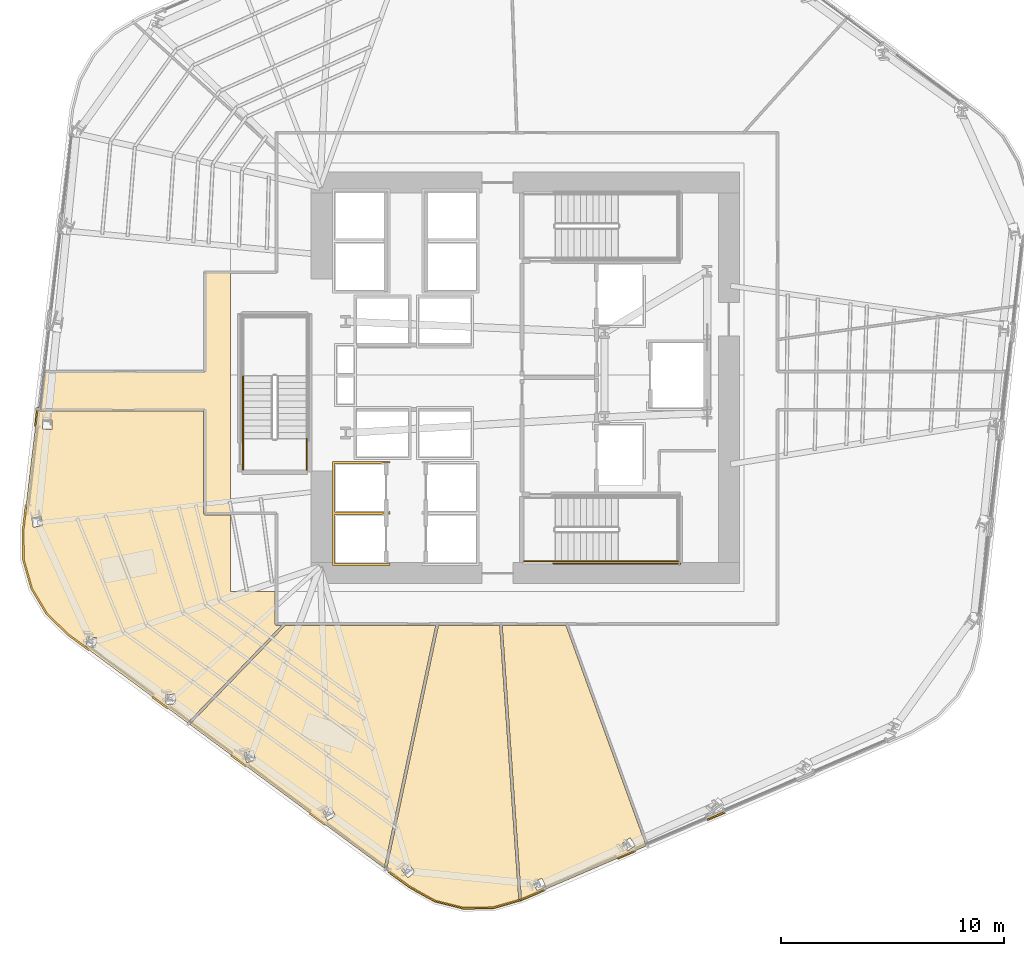
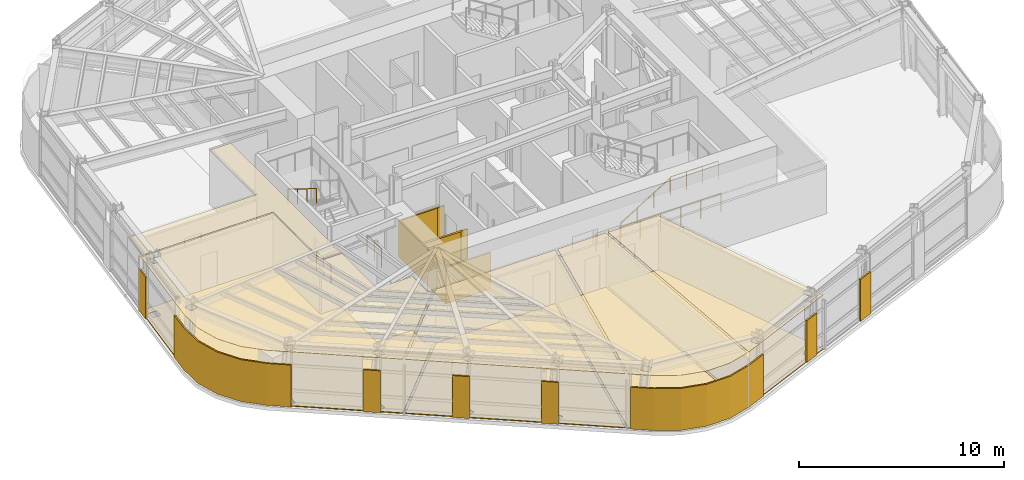
# One storey, part 11 of 16: 18 coverings, 7 railings.
"""IFC4 building model written with IfcOpenShell, lengths in metres."""

from ifc_helpers import new_model, si_unit, direction, frame, origin, origin_2d, place, context, subcontext, project, spatial, polyline, circle, outline, extrude, material, layer, layer_set, type_object, element, save


model = new_model("IFC4")

# Units and contexts
model_context = context("Model", 3, precision=1e-05, world=origin(), true_north=direction((0.0, 1.0)))
body_context = subcontext(model_context, "Body", "Model", "MODEL_VIEW")
ifc_project = project(units=[si_unit("LENGTHUNIT", "METRE"), si_unit("AREAUNIT", "SQUARE_METRE"), si_unit("VOLUMEUNIT", "CUBIC_METRE"), si_unit("PLANEANGLEUNIT", "RADIAN"), si_unit("MASSUNIT", "GRAM", prefix="KILO")], contexts=[model_context])

# Site, building, storey
site_placement = place(None, origin())
site = spatial("IfcSite", under=ifc_project, at=site_placement, CompositionType="ELEMENT")
building_placement = place(site_placement, origin())
building = spatial("IfcBuilding", under=site, at=building_placement, Name="Valkerne Bourse Tower", CompositionType="ELEMENT")
storey_placement = place(building_placement, frame((0.0, 0.0, 123.800048828125)))
storey = spatial("IfcBuildingStorey", under=building, at=storey_placement, Name="L31", CompositionType="ELEMENT", Elevation=123.800048828125)

# Coverings
ifc_material_1 = material(Name="Mineral Fiber Acoustic Ceiling Tile", Category="acoustic")
ifc_layer_1 = layer(ifc_material_1, 0.02490234375)
ifc_layer_set_1 = layer_set([ifc_layer_1], Name="Mineral Fiber Acoustic Ceiling Tile")
covering_type_1 = type_object("IfcCoveringType", Name="COV-CEIL-ACT", PredefinedType="CEILING", material=ifc_layer_set_1)
covering_1_placement = place(storey_placement, frame((0.0, 0.0, 3.22998046875)))
element("IfcCovering", 1, at=covering_1_placement, inside=storey, type_object=covering_type_1, Name="L31 Suspended Ceiling 03", PredefinedType="CEILING", context=body_context, shape_type="SweptSolid", body=[
    extrude(outline(polyline([(45.7666015625, 15.781005859375), (48.6201171875, 15.781005859375), (52.218017578125, 5.896484375), (46.6259765625, 3.492431640625), (45.7666015625, 15.781005859375)]), holes=[polyline([(47.3291015625, 3.892578125), (47.72021484375, 4.07275390625), (47.547119140625, 4.45166015625), (47.543701171875, 4.45166015625), (47.152587890625, 4.271240234375), (47.325927734375, 3.892333984375), (47.3291015625, 3.892578125)]), polyline([(51.732666015625, 5.922607421875), (51.4912109375, 6.261962890625), (51.488037109375, 6.261474609375), (51.1376953125, 6.010498046875), (51.37939453125, 5.671142578125), (51.38232421875, 5.671875), (51.732666015625, 5.922607421875)])]), origin(), (0.0, 0.0, 1.0), 0.02490234375),
])
covering_2_placement = place(storey_placement, frame((0.0, 0.0, 3.22998046875)))
element("IfcCovering", 2, at=covering_2_placement, inside=storey, type_object=covering_type_1, Name="L31 Suspended Ceiling 04", PredefinedType="CEILING", context=body_context, shape_type="SweptSolid", body=[
    extrude(outline(polyline([(42.756103515625, 3.430419921875), (41.594482421875, 4.076904296875), (40.5810546875, 4.826416015625), (42.909423828125, 15.781005859375), (45.6484375, 15.781005859375), (46.510009765625, 3.458740234375), (45.35498046875, 3.1298828125), (44.03564453125, 3.109130859375), (42.756103515625, 3.430419921875)]), holes=[polyline([(41.586181640625, 5.07080078125), (41.5830078125, 5.07177734375), (41.263916015625, 4.804443359375), (41.5390625, 4.472900390625), (41.542236328125, 4.47216796875), (41.861328125, 4.739501953125), (41.586181640625, 5.07080078125)])]), origin(), (0.0, 0.0, 1.0), 0.02490234375),
])
covering_3_placement = place(storey_placement, frame((0.0, 0.0, 3.22998046875)))
element("IfcCovering", 3, at=covering_3_placement, inside=storey, type_object=covering_type_1, Name="L31 Suspended Ceiling 05", PredefinedType="CEILING", context=body_context, shape_type="SweptSolid", body=[
    extrude(outline(polyline([(42.788818359375, 15.781005859375), (40.476806640625, 4.9033203125), (31.764404296875, 11.34521484375), (36.048095703125, 15.781005859375), (42.788818359375, 15.781005859375)]), holes=[polyline([(38.08837890625, 7.626953125), (38.08544921875, 7.628173828125), (37.7216796875, 7.42578125), (37.9296875, 7.04833984375), (37.9326171875, 7.047119140625), (38.29638671875, 7.24951171875), (38.08837890625, 7.626953125)]), polyline([(34.592041015625, 10.17041015625), (34.589599609375, 10.17236328125), (34.192138671875, 10.048095703125), (34.319091796875, 9.63623046875), (34.32177734375, 9.634521484375), (34.718994140625, 9.758544921875), (34.592041015625, 10.17041015625)])]), origin(), (0.0, 0.0, 1.0), 0.02490234375),
])
covering_4_placement = place(storey_placement, frame((0.0, 0.0, 3.22998046875)))
element("IfcCovering", 4, at=covering_4_placement, inside=storey, type_object=covering_type_1, Name="L31 Suspended Ceiling 06", PredefinedType="CEILING", context=body_context, shape_type="SweptSolid", body=[
    extrude(outline(polyline([(24.684814453125, 17.429931640625), (24.323486328125, 18.698974609375), (24.302490234375, 20.02783203125), (24.93701171875, 25.412109375), (25.018310546875, 25.417724609375), (25.0419921875, 25.39111328125), (25.077880859375, 25.381103515625), (32.381103515625, 25.381103515625), (32.385009765625, 20.7763671875), (32.4091796875, 20.744140625), (32.449462890625, 20.73095703125), (33.60009765625, 20.73095703125), (33.60009765625, 17.300048828125), (35.5810546875, 17.300048828125), (35.5810546875, 15.845458984375), (35.598388671875, 15.803955078125), (35.633544921875, 15.78271484375), (35.884033203125, 15.781005859375), (31.668701171875, 11.416015625), (26.31689453125, 15.372802734375), (25.362548828125, 16.297607421875), (24.684814453125, 17.429931640625)]), holes=[polyline([(31.130615234375, 12.273681640625), (31.090087890625, 12.702880859375), (31.087890625, 12.705322265625), (30.673583984375, 12.66455078125), (30.71435546875, 12.2353515625), (30.71630859375, 12.23291015625), (31.130615234375, 12.273681640625)]), polyline([(27.577392578125, 15.22900390625), (27.57568359375, 15.231689453125), (27.160888671875, 15.26953125), (27.1201171875, 14.840576171875), (27.121826171875, 14.837646484375), (27.536376953125, 14.800048828125), (27.577392578125, 15.22900390625)]), polyline([(25.109375, 20.66162109375), (25.1083984375, 20.664794921875), (24.6826171875, 20.5908203125), (24.753173828125, 20.181884765625), (24.75390625, 20.1787109375), (25.1796875, 20.252685546875), (25.109375, 20.66162109375)]), polyline([(25.59619140625, 24.9873046875), (25.1640625, 24.994873046875), (25.156494140625, 24.57958984375), (25.15673828125, 24.576416015625), (25.5888671875, 24.569091796875), (25.596435546875, 24.984130859375), (25.59619140625, 24.9873046875)])]), origin(), (0.0, 0.0, 1.0), 0.02490234375),
])
ifc_material_2 = material(Name="Bronze Anodised Aluminium AA 6063-T6", Category="aluminium")
ifc_layer_2 = layer(ifc_material_2, 0.030029296875)
ifc_layer_set_2 = layer_set([ifc_layer_2], Name="Bronze Anodised Aluminium AA 6063-T6")
covering_type_2 = type_object("IfcCoveringType", Name="COV-CEIL-METAL", PredefinedType="CEILING", material=ifc_layer_set_2)
covering_5_placement = place(storey_placement, frame((0.0, 0.0, 3.22998046875)))
element("IfcCovering", 5, at=covering_5_placement, inside=storey, type_object=covering_type_2, Name="L31 Suspended Ceiling 02", PredefinedType="CEILING", context=body_context, shape_type="SweptSolid", body=[
    extrude(outline(polyline([(32.4541015625, 20.803955078125), (32.4541015625, 25.4541015625), (25.0830078125, 25.4541015625), (25.282470703125, 27.14599609375), (32.4541015625, 27.14599609375), (32.4541015625, 31.595947265625), (33.60009765625, 31.595947265625), (33.60009765625, 20.803955078125), (32.4541015625, 20.803955078125)])), origin(), (0.0, 0.0, 1.0), 0.02490234375),
])
ifc_layer_3 = layer(ifc_material_2, 0.06005859375)
ifc_layer_set_3 = layer_set([ifc_layer_3], Name="Bronze Anodised Aluminium AA 6063-T6")
covering_type_3 = type_object("IfcCoveringType", Name="COV-CRN-ALUM", PredefinedType="CLADDING", material=ifc_layer_set_3)
covering_6_placement = place(storey_placement, origin())
element("IfcCovering", 6, at=covering_6_placement, inside=storey, type_object=covering_type_3, Name="L31 Wind-Shaped Corner Aluminium Cladding 03", PredefinedType="CLADDING", context=body_context, shape_type="SweptSolid", body=[
    extrude(outline(polyline([(54.98095703125, 7.037353515625), (54.94921875, 7.110595703125), (55.720703125, 7.442626953125), (55.752685546875, 7.369140625), (54.98095703125, 7.037353515625)])), origin(), (0.0, 0.0, 1.0), 2.5),
])
covering_7_placement = place(storey_placement, origin())
element("IfcCovering", 7, at=covering_7_placement, inside=storey, type_object=covering_type_3, Name="L31 Wind-Shaped Corner Aluminium Cladding 04", PredefinedType="CLADDING", context=body_context, shape_type="SweptSolid", body=[
    extrude(outline(polyline([(50.954833984375, 5.30517578125), (50.923095703125, 5.37841796875), (51.694580078125, 5.71044921875), (51.726318359375, 5.63720703125), (50.954833984375, 5.30517578125)])), origin(), (0.0, 0.0, 1.0), 2.5),
])
covering_8_placement = place(storey_placement, origin())
element("IfcCovering", 8, at=covering_8_placement, inside=storey, type_object=covering_type_3, Name="L31 Wind-Shaped Corner Aluminium Cladding 05", PredefinedType="CLADDING", context=body_context, shape_type="SweptSolid", body=[
    extrude(outline(polyline([(46.648193359375, 3.452392578125), (45.361572265625, 3.0859375), (44.030517578125, 3.06494140625), (42.739501953125, 3.389404296875), (41.570556640625, 4.039794921875), (40.64990234375, 4.720703125), (40.697509765625, 4.784912109375), (41.614013671875, 4.107421875), (42.769287109375, 3.46435546875), (44.039794921875, 3.14501953125), (45.349853515625, 3.165771484375), (46.621337890625, 3.52783203125), (47.66845703125, 3.978515625), (47.7001953125, 3.905029296875), (46.648193359375, 3.452392578125)])), origin(), (0.0, 0.0, 1.0), 2.5),
])
covering_9_placement = place(storey_placement, origin())
element("IfcCovering", 9, at=covering_9_placement, inside=storey, type_object=covering_type_3, Name="L31 Wind-Shaped Corner Aluminium Cladding 06", PredefinedType="CLADDING", context=body_context, shape_type="SweptSolid", body=[
    extrude(outline(polyline([(37.12548828125, 7.326416015625), (37.173095703125, 7.390869140625), (37.8486328125, 6.891357421875), (37.801025390625, 6.8271484375), (37.12548828125, 7.326416015625)])), origin(), (0.0, 0.0, 1.0), 2.5),
])
covering_10_placement = place(storey_placement, origin())
element("IfcCovering", 10, at=covering_10_placement, inside=storey, type_object=covering_type_3, Name="L31 Wind-Shaped Corner Aluminium Cladding 07", PredefinedType="CLADDING", context=body_context, shape_type="SweptSolid", body=[
    extrude(outline(polyline([(33.601318359375, 9.932373046875), (33.64892578125, 9.99658203125), (34.324462890625, 9.4970703125), (34.276611328125, 9.432861328125), (33.601318359375, 9.932373046875)])), origin(), (0.0, 0.0, 1.0), 2.5),
])
covering_11_placement = place(storey_placement, origin())
element("IfcCovering", 11, at=covering_11_placement, inside=storey, type_object=covering_type_3, Name="L31 Wind-Shaped Corner Aluminium Cladding 08", PredefinedType="CLADDING", context=body_context, shape_type="SweptSolid", body=[
    extrude(outline(polyline([(30.076904296875, 12.5380859375), (30.12451171875, 12.602294921875), (30.800048828125, 12.102783203125), (30.75244140625, 12.03857421875), (30.076904296875, 12.5380859375)])), origin(), (0.0, 0.0, 1.0), 2.5),
])
covering_12_placement = place(storey_placement, origin())
element("IfcCovering", 12, at=covering_12_placement, inside=storey, type_object=covering_type_3, Name="L31 Wind-Shaped Corner Aluminium Cladding 09", PredefinedType="CLADDING", context=body_context, shape_type="SweptSolid", body=[
    extrude(outline(polyline([(26.288330078125, 15.339111328125), (25.32763671875, 16.27001953125), (24.644287109375, 17.412353515625), (24.279541015625, 18.6923828125), (24.25830078125, 20.030029296875), (24.395263671875, 21.190673828125), (24.474609375, 21.181396484375), (24.33837890625, 20.02587890625), (24.359375, 18.704345703125), (24.71826171875, 17.4443359375), (25.39111328125, 16.3203125), (26.340087890625, 15.400390625), (27.27587890625, 14.70849609375), (27.22802734375, 14.644287109375), (26.288330078125, 15.339111328125)])), origin(), (0.0, 0.0, 1.0), 2.5),
])
covering_13_placement = place(storey_placement, origin())
element("IfcCovering", 13, at=covering_13_placement, inside=storey, type_object=covering_type_3, Name="L31 Wind-Shaped Corner Aluminium Cladding 10", PredefinedType="CLADDING", context=body_context, shape_type="SweptSolid", body=[
    extrude(outline(polyline([(24.908203125, 25.54345703125), (24.98779296875, 25.5341796875), (24.889404296875, 24.7001953125), (24.809814453125, 24.709228515625), (24.908203125, 25.54345703125)])), origin(), (0.0, 0.0, 1.0), 2.5),
])
ifc_material_3 = material(Name="Galvanised Painted Steel", Category="steel")
ifc_layer_4 = layer(ifc_material_3, 0.044921875)
ifc_layer_set_4 = layer_set([ifc_layer_4], Name="Galvanised Painted Steel")
covering_type_4 = type_object("IfcCoveringType", Name="COV-FLR-RAF", PredefinedType="FLOORING", material=ifc_layer_set_4)
covering_14_placement = place(storey_placement, origin())
element("IfcCovering", 14, at=covering_14_placement, inside=storey, type_object=covering_type_4, Name="L31 Floor Finish 05", PredefinedType="FLOORING", context=body_context, shape_type="SweptSolid", body=[
    extrude(outline(polyline([(42.788818359375, 15.781005859375), (40.476806640625, 4.9033203125), (31.764404296875, 11.34521484375), (36.048095703125, 15.781005859375), (42.788818359375, 15.781005859375)]), holes=[polyline([(38.08837890625, 7.626953125), (38.08544921875, 7.628173828125), (37.7216796875, 7.42578125), (37.9296875, 7.04833984375), (37.9326171875, 7.047119140625), (38.29638671875, 7.24951171875), (38.08837890625, 7.626953125)]), polyline([(34.592041015625, 10.17041015625), (34.589599609375, 10.17236328125), (34.192138671875, 10.048095703125), (34.319091796875, 9.63623046875), (34.32177734375, 9.634521484375), (34.718994140625, 9.758544921875), (34.592041015625, 10.17041015625)])]), origin(), (0.0, 0.0, 1.0), 0.044921875),
])
covering_15_placement = place(storey_placement, origin())
element("IfcCovering", 15, at=covering_15_placement, inside=storey, type_object=covering_type_4, Name="L31 Floor Finish 06", PredefinedType="FLOORING", context=body_context, shape_type="SweptSolid", body=[
    extrude(outline(polyline([(24.684814453125, 17.429931640625), (24.323486328125, 18.698974609375), (24.302490234375, 20.02783203125), (24.93701171875, 25.412109375), (25.018310546875, 25.417724609375), (25.0419921875, 25.39111328125), (25.077880859375, 25.381103515625), (32.381103515625, 25.381103515625), (32.385009765625, 20.7763671875), (32.4091796875, 20.744140625), (32.449462890625, 20.73095703125), (33.60009765625, 20.73095703125), (33.60009765625, 17.300048828125), (35.5810546875, 17.300048828125), (35.5810546875, 15.845458984375), (35.598388671875, 15.803955078125), (35.633544921875, 15.78271484375), (35.884033203125, 15.781005859375), (31.668701171875, 11.416015625), (26.31689453125, 15.372802734375), (25.362548828125, 16.297607421875), (24.684814453125, 17.429931640625)]), holes=[polyline([(31.130615234375, 12.273681640625), (31.090087890625, 12.702880859375), (31.087890625, 12.705322265625), (30.673583984375, 12.66455078125), (30.71435546875, 12.2353515625), (30.71630859375, 12.23291015625), (31.130615234375, 12.273681640625)]), polyline([(27.577392578125, 15.22900390625), (27.57568359375, 15.231689453125), (27.160888671875, 15.26953125), (27.1201171875, 14.840576171875), (27.121826171875, 14.837646484375), (27.536376953125, 14.800048828125), (27.577392578125, 15.22900390625)]), polyline([(25.109375, 20.66162109375), (25.1083984375, 20.664794921875), (24.6826171875, 20.5908203125), (24.753173828125, 20.181884765625), (24.75390625, 20.1787109375), (25.1796875, 20.252685546875), (25.109375, 20.66162109375)]), polyline([(25.59619140625, 24.9873046875), (25.1640625, 24.994873046875), (25.156494140625, 24.57958984375), (25.15673828125, 24.576416015625), (25.5888671875, 24.569091796875), (25.596435546875, 24.984130859375), (25.59619140625, 24.9873046875)])]), origin(), (0.0, 0.0, 1.0), 0.044921875),
])
ifc_material_4 = material(Name="Polished Granite Stone", Category="masonry")
ifc_layer_5 = layer(ifc_material_4, 0.030029296875)
ifc_layer_set_5 = layer_set([ifc_layer_5], Name="Polished Granite Stone")
covering_type_5 = type_object("IfcCoveringType", Name="COV-FLR-TERRAZZO", PredefinedType="FLOORING", material=ifc_layer_set_5)
covering_16_placement = place(storey_placement, origin())
element("IfcCovering", 16, at=covering_16_placement, inside=storey, type_object=covering_type_5, Name="L31 Floor Finish 03", PredefinedType="FLOORING", context=body_context, shape_type="SweptSolid", body=[
    extrude(outline(polyline([(45.7666015625, 15.781005859375), (48.6201171875, 15.781005859375), (52.218017578125, 5.896484375), (46.6259765625, 3.492431640625), (45.7666015625, 15.781005859375)]), holes=[polyline([(47.3291015625, 3.892578125), (47.72021484375, 4.07275390625), (47.547119140625, 4.45166015625), (47.543701171875, 4.45166015625), (47.152587890625, 4.271240234375), (47.325927734375, 3.892333984375), (47.3291015625, 3.892578125)]), polyline([(51.732666015625, 5.922607421875), (51.4912109375, 6.261962890625), (51.488037109375, 6.261474609375), (51.1376953125, 6.010498046875), (51.37939453125, 5.671142578125), (51.38232421875, 5.671875), (51.732666015625, 5.922607421875)])]), origin(), (0.0, 0.0, 1.0), 0.030029296875),
])
covering_17_placement = place(storey_placement, origin())
element("IfcCovering", 17, at=covering_17_placement, inside=storey, type_object=covering_type_5, Name="L31 Floor Finish 04", PredefinedType="FLOORING", context=body_context, shape_type="SweptSolid", body=[
    extrude(outline(polyline([(42.756103515625, 3.430419921875), (41.594482421875, 4.076904296875), (40.5810546875, 4.826416015625), (42.909423828125, 15.781005859375), (45.6484375, 15.781005859375), (46.510009765625, 3.458740234375), (45.35498046875, 3.1298828125), (44.03564453125, 3.109130859375), (42.756103515625, 3.430419921875)]), holes=[polyline([(41.586181640625, 5.07080078125), (41.5830078125, 5.07177734375), (41.263916015625, 4.804443359375), (41.5390625, 4.472900390625), (41.542236328125, 4.47216796875), (41.861328125, 4.739501953125), (41.586181640625, 5.07080078125)])]), origin(), (0.0, 0.0, 1.0), 0.030029296875),
])
ifc_material_5 = material(Name="Gypsum Shaftwall Liner Board", Category="gypsum")
ifc_layer_6 = layer(ifc_material_5, 0.080078125)
ifc_layer_set_6 = layer_set([ifc_layer_6], Name="Gypsum Shaftwall Liner Board")
covering_type_6 = type_object("IfcCoveringType", Name="COV-SHF-CLAD", PredefinedType="CLADDING", material=ifc_layer_set_6)
covering_18_placement = place(storey_placement, origin())
element("IfcCovering", 18, at=covering_18_placement, inside=storey, type_object=covering_type_6, Name="L31 Hoistway & Riser Shaftwall Liner 01", PredefinedType="CLADDING", context=body_context, shape_type="SweptSolid", body=[
    extrude(outline(polyline([(38.169921875, 23.1298828125), (40.72998046875, 23.1298828125), (40.72998046875, 23.052001953125), (40.72216796875, 23.0556640625), (40.6806640625, 23.070556640625), (40.6376953125, 23.081298828125), (40.593994140625, 23.087890625), (40.550048828125, 23.090087890625), (40.505859375, 23.087890625), (40.462158203125, 23.081298828125), (40.41943359375, 23.070556640625), (40.377685546875, 23.0556640625), (40.344482421875, 23.0400390625), (38.260009765625, 23.0400390625), (38.260009765625, 20.860107421875), (40.456787109375, 20.860107421875), (40.462158203125, 20.858642578125), (40.505859375, 20.852294921875), (40.550048828125, 20.85009765625), (40.593994140625, 20.852294921875), (40.6376953125, 20.858642578125), (40.6806640625, 20.869384765625), (40.72216796875, 20.88427734375), (40.72998046875, 20.887939453125), (40.72998046875, 20.830078125), (40.72998046875, 20.77001953125), (40.72998046875, 20.752197265625), (40.72216796875, 20.755615234375), (40.6806640625, 20.7705078125), (40.6376953125, 20.781494140625), (40.593994140625, 20.787841796875), (40.550048828125, 20.7900390625), (40.505859375, 20.787841796875), (40.462158203125, 20.781494140625), (40.41943359375, 20.7705078125), (40.377685546875, 20.755615234375), (40.344482421875, 20.739990234375), (38.260009765625, 20.739990234375), (38.260009765625, 18.56005859375), (40.456787109375, 18.56005859375), (40.462158203125, 18.55859375), (40.505859375, 18.55224609375), (40.550048828125, 18.550048828125), (40.593994140625, 18.55224609375), (40.6376953125, 18.55859375), (40.6806640625, 18.5693359375), (40.72216796875, 18.584228515625), (40.72998046875, 18.587890625), (40.72998046875, 18.469970703125), (38.169921875, 18.469970703125), (38.169921875, 20.77001953125), (38.169921875, 20.830078125), (38.169921875, 23.1298828125)])), origin(), (0.0, 0.0, 1.0), 2.179931640625),
])

# Railings
railing_type_1 = type_object("IfcRailingType", Name="RLG-ST-GUARD-1120", PredefinedType="GUARDRAIL", material=ifc_material_3)
railing_1_placement = place(storey_placement, frame((50.949951171875, 18.64990234375, 1.89990234375)))
element("IfcRailing", 19, at=railing_1_placement, inside=storey, type_object=railing_type_1, Name="L31 ST-1 stair guard 3", PredefinedType="GUARDRAIL", context=body_context, shape_type="SweptSolid", body=[
    extrude(circle(Radius=0.02392578125, at=origin_2d()), frame((0.0, 0.0, 1.09619140625), z_axis=(1.0, 0.0, 0.0), x_axis=(0.0, 1.0, 0.0)), (0.0, 0.0, 1.0), 2.699951171875),
    extrude(circle(Radius=0.02099609375, at=origin_2d()), origin(), (0.0, 0.0, 1.0), 1.072021484375),
    extrude(circle(Radius=0.02099609375, at=origin_2d()), frame((0.89990234375, 0.0, 0.0)), (0.0, 0.0, 1.0), 1.072021484375),
    extrude(circle(Radius=0.02099609375, at=origin_2d()), frame((1.800048828125, 0.0, 0.0)), (0.0, 0.0, 1.0), 1.072021484375),
    extrude(circle(Radius=0.02099609375, at=origin_2d()), frame((2.699951171875, 0.0, 0.0)), (0.0, 0.0, 1.0), 1.072021484375),
])
railing_2_placement = place(storey_placement, frame((46.75, 18.64990234375, 0.0)))
element("IfcRailing", 20, at=railing_2_placement, inside=storey, type_object=railing_type_1, Name="L31 ST-1 stair guard 8", PredefinedType="GUARDRAIL", context=body_context, shape_type="SweptSolid", body=[
    extrude(circle(Radius=0.02392578125, at=origin_2d()), frame((0.0, 0.0, 1.09619140625), z_axis=(1.0, 0.0, 0.0), x_axis=(0.0, 1.0, 0.0)), (0.0, 0.0, 1.0), 1.39990234375),
    extrude(circle(Radius=0.02099609375, at=origin_2d()), origin(), (0.0, 0.0, 1.0), 1.072021484375),
    extrude(circle(Radius=0.02099609375, at=origin_2d()), frame((0.699951171875, 0.0, 0.0)), (0.0, 0.0, 1.0), 1.072021484375),
    extrude(circle(Radius=0.02099609375, at=origin_2d()), frame((1.39990234375, 0.0, 0.0)), (0.0, 0.0, 1.0), 1.072021484375),
])
railing_3_placement = place(storey_placement, frame((48.050048828125, 18.550048828125, 0.0)))
element("IfcRailing", 21, at=railing_3_placement, inside=storey, type_object=railing_type_1, Name="L31 ST-1 stair guard 10", PredefinedType="GUARDRAIL", context=body_context, shape_type="SweptSolid", body=[
    extrude(circle(Radius=0.02392578125, at=origin_2d()), frame((0.0, 0.0, 1.09619140625), z_axis=(1.0, 0.0, 0.0), x_axis=(0.0, 1.0, 0.0)), (0.0, 0.0, 1.0), 5.699951171875),
    extrude(circle(Radius=0.02099609375, at=origin_2d()), origin(), (0.0, 0.0, 1.0), 1.072021484375),
    extrude(circle(Radius=0.02099609375, at=origin_2d()), frame((1.139892578125, 0.0, 0.0)), (0.0, 0.0, 1.0), 1.072021484375),
    extrude(circle(Radius=0.02099609375, at=origin_2d()), frame((2.280029296875, 0.0, 0.0)), (0.0, 0.0, 1.0), 1.072021484375),
    extrude(circle(Radius=0.02099609375, at=origin_2d()), frame((3.419921875, 0.0, 0.0)), (0.0, 0.0, 1.0), 1.072021484375),
    extrude(circle(Radius=0.02099609375, at=origin_2d()), frame((4.56005859375, 0.0, 0.0)), (0.0, 0.0, 1.0), 1.072021484375),
    extrude(circle(Radius=0.02099609375, at=origin_2d()), frame((5.699951171875, 0.0, 0.0)), (0.0, 0.0, 1.0), 1.072021484375),
])
for number, where, name in (
    (22, (37.0, 22.75, 0.0), "L31 ST-3 stair guard 8"),
    (23, (34.14990234375, 22.75, 0.0), "L31 ST-3 stair guard 9"),
):
    element("IfcRailing", number, at=place(storey_placement, frame(where)), inside=storey, type_object=railing_type_1, Name=name, PredefinedType="GUARDRAIL", context=body_context, shape_type="SweptSolid", body=[
        extrude(circle(Radius=0.02392578125, at=origin_2d()), frame((0.0, 0.0, 1.09619140625), z_axis=(0.0, 1.0, 0.0), x_axis=(-1.0, 0.0, 0.0)), (0.0, 0.0, 1.0), 1.39990234375),
        extrude(circle(Radius=0.02099609375, at=origin_2d()), origin(), (0.0, 0.0, 1.0), 1.072021484375),
        extrude(circle(Radius=0.02099609375, at=origin_2d()), frame((0.0, 0.699951171875, 0.0)), (0.0, 0.0, 1.0), 1.072021484375),
        extrude(circle(Radius=0.02099609375, at=origin_2d()), frame((0.0, 1.39990234375, 0.0)), (0.0, 0.0, 1.0), 1.072021484375),
    ])
ifc_material_6 = material(Name="Stainless Steel AISI 316", Category="steel")
railing_type_2 = type_object("IfcRailingType", Name="RLG-ST-HANDRAIL-900", PredefinedType="HANDRAIL", material=ifc_material_6)
railing_4_placement = place(storey_placement, frame((48.14990234375, 18.64990234375, 0.345458984375)))
element("IfcRailing", 24, at=railing_4_placement, inside=storey, type_object=railing_type_2, Name="L31 ST-1 stair handrail 1", PredefinedType="HANDRAIL", context=body_context, shape_type="SweptSolid", body=[
    extrude(circle(Radius=0.02392578125, at=origin_2d()), frame((0.0, 0.0, 0.8759765625), z_axis=(0.851089632645, 0.0, 0.525020415988), x_axis=(0.0, 1.0, 0.0)), (0.0, 0.0, 1.0), 3.2900390625),
    extrude(circle(Radius=0.02099609375, at=origin_2d()), origin(), (0.0, 0.0, 1.0), 0.851806640625),
    extrude(circle(Radius=0.02099609375, at=origin_2d()), frame((0.933349609375, 0.0, 0.57568359375)), (0.0, 0.0, 1.0), 0.851806640625),
    extrude(circle(Radius=0.02099609375, at=origin_2d()), frame((1.86669921875, 0.0, 1.151611328125)), (0.0, 0.0, 1.0), 0.851806640625),
    extrude(circle(Radius=0.02099609375, at=origin_2d()), frame((2.800048828125, 0.0, 1.727294921875)), (0.0, 0.0, 1.0), 0.851806640625),
])
railing_5_placement = place(storey_placement, frame((34.14990234375, 26.949951171875, 2.245361328125)))
element("IfcRailing", 25, at=railing_5_placement, inside=storey, type_object=railing_type_2, Name="L31 ST-3 stair handrail 2", PredefinedType="HANDRAIL", context=body_context, shape_type="SweptSolid", body=[
    extrude(circle(Radius=0.02392578125, at=origin_2d()), frame((0.0, 0.0, 0.8759765625), z_axis=(0.0, -0.851089632645, 0.525020415988), x_axis=(1.0, 0.0, 0.0)), (0.0, 0.0, 1.0), 3.2900390625),
    extrude(circle(Radius=0.02099609375, at=origin_2d()), origin(), (0.0, 0.0, 1.0), 0.851806640625),
    extrude(circle(Radius=0.02099609375, at=origin_2d()), frame((0.0, -0.933349609375, 0.57568359375)), (0.0, 0.0, 1.0), 0.851806640625),
    extrude(circle(Radius=0.02099609375, at=origin_2d()), frame((0.0, -1.86669921875, 1.151611328125)), (0.0, 0.0, 1.0), 0.851806640625),
    extrude(circle(Radius=0.02099609375, at=origin_2d()), frame((0.0, -2.800048828125, 1.727294921875)), (0.0, 0.0, 1.0), 0.851806640625),
])

save(model, "model.ifc")
